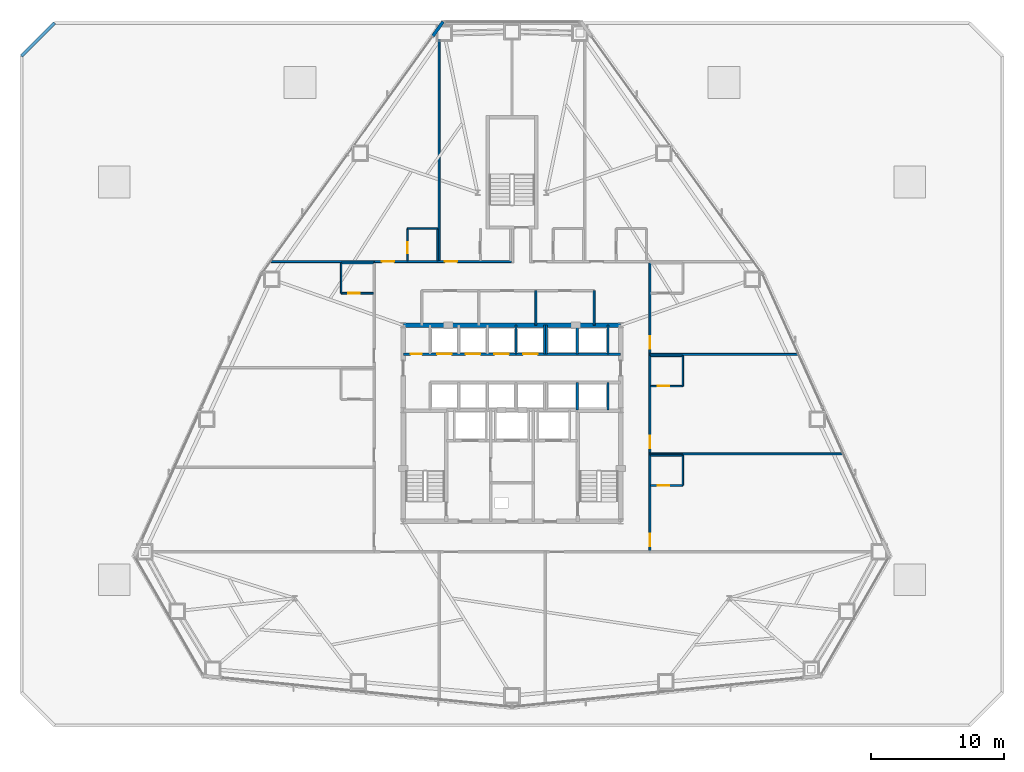
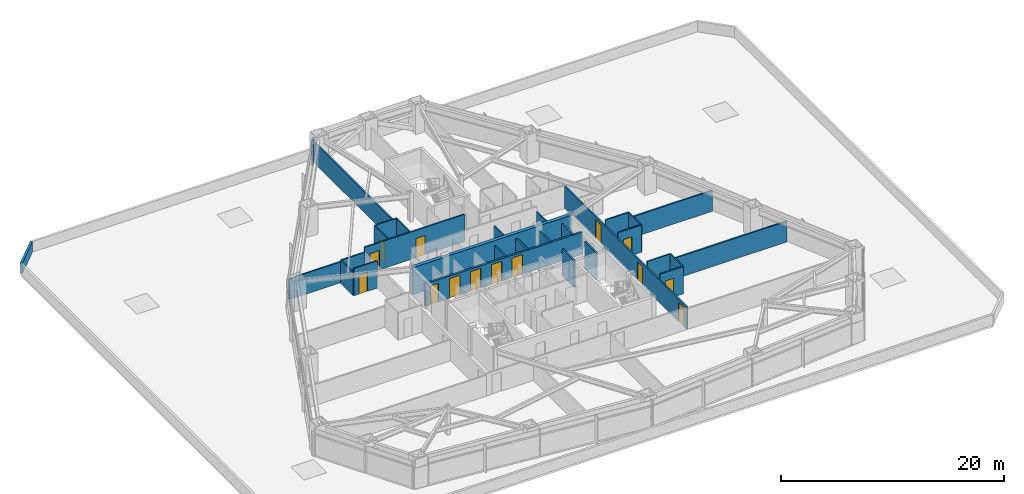
# One storey, part 14 of 17: 31 walls, 14 doors, 14 openings.
"""IFC4 building model written with IfcOpenShell, lengths in metres."""

import ifcopenshell
import ifcopenshell.guid

model = None  # the IFC model being written
_history = None  # IfcOwnerHistory: only IFC2X3 demands one
_inside = {}  # id of a spatial element -> (the spatial element, [elements in it])
_under = {}  # id of a project, library or spatial element -> (it, [spatial elements below it])
_declared = {}  # id of a project -> (the project, [libraries it declares])
_typed = {}  # id of a type object -> (the type object, [elements of that type])
_made_of = {}  # id of a material, layer set ... -> (it, [elements and type objects made of it])


def new_model(schema):
    """Start an empty IFC model of exactly this schema.

    Asked for "IFC4X3", IfcOpenShell would pick the latest addendum, in which some entities
    have other attributes; the version numbers below select the first issue.
    IFC2X3 requires an IfcOwnerHistory on every rooted entity: one is made here for all.
    """
    global model, _history
    if schema == "IFC4X3":
        model = ifcopenshell.file(schema_version=(4, 3, 0, 0))
    else:
        model = ifcopenshell.file(schema=schema)
    _inside.clear()
    _under.clear()
    _declared.clear()
    _typed.clear()
    _made_of.clear()
    _history = None
    if model.schema == "IFC2X3":
        org = make("IfcOrganization", Name="unknown")
        user = make(
            "IfcPersonAndOrganization",
            ThePerson=make("IfcPerson", FamilyName="unknown"),
            TheOrganization=org,
        )
        app = make(
            "IfcApplication",
            ApplicationDeveloper=org,
            Version="unknown",
            ApplicationFullName="unknown",
            ApplicationIdentifier="unknown",
        )
        _history = make(
            "IfcOwnerHistory",
            OwningUser=user,
            OwningApplication=app,
            ChangeAction="ADDED",
            CreationDate=0,
        )
    return model


def make(cls, **values):
    """One entity of the class cls with the attributes given. An attribute that is None is left unset."""
    return model.create_entity(
        cls, **{name: value for name, value in values.items() if value is not None}
    )


def rooted(cls, **values):
    """An entity with a GlobalId (a new one), such as an element, a storey or a relation."""
    return make(cls, GlobalId=ifcopenshell.guid.new(), OwnerHistory=_history, **values)


def si_unit(unit_type, name, prefix=None):
    """IfcSIUnit, for example si_unit("LENGTHUNIT", "METRE", prefix="MILLI")."""
    return make("IfcSIUnit", UnitType=unit_type, Prefix=prefix, Name=name)


def assignment(units):
    """IfcUnitAssignment: the units of a project."""
    return None if units is None else make("IfcUnitAssignment", Units=units)


def point(xyz):
    """IfcCartesianPoint."""
    return None if xyz is None else make("IfcCartesianPoint", Coordinates=xyz)


def direction(xyz):
    """IfcDirection."""
    return None if xyz is None else make("IfcDirection", DirectionRatios=xyz)


def frame(location, z_axis=None, x_axis=None):
    """IfcAxis2Placement3D, a coordinate frame: its origin and axes. An axis left out is left unset."""
    return make(
        "IfcAxis2Placement3D",
        Location=point(location),
        Axis=direction(z_axis),
        RefDirection=direction(x_axis),
    )


def frame_2d(location, x_axis=None):
    """IfcAxis2Placement2D, a coordinate frame in the plane: its origin and x axis."""
    return make(
        "IfcAxis2Placement2D", Location=point(location), RefDirection=direction(x_axis)
    )


def origin():
    """The frame at (0, 0, 0) with its axes left unset."""
    return frame((0.0, 0.0, 0.0))


def place(relative_to, where):
    """IfcLocalPlacement: puts the frame where relative to a parent placement (None: the world)."""
    return make(
        "IfcLocalPlacement", PlacementRelTo=relative_to, RelativePlacement=where
    )


def context(
    kind, dimensions, precision=None, world=None, true_north=None, identifier=None
):
    """IfcGeometricRepresentationContext, for example the 3D "Model" context."""
    return make(
        "IfcGeometricRepresentationContext",
        ContextIdentifier=identifier,
        ContextType=kind,
        CoordinateSpaceDimension=dimensions,
        Precision=precision,
        WorldCoordinateSystem=world,
        TrueNorth=true_north,
    )


def subcontext(parent, identifier, kind, view, scale=None):
    """IfcGeometricRepresentationSubContext, for example "Body" below "Model"."""
    return make(
        "IfcGeometricRepresentationSubContext",
        ContextIdentifier=identifier,
        ContextType=kind,
        ParentContext=parent,
        TargetScale=scale,
        TargetView=view,
    )


def project(units=None, contexts=None):
    """IfcProject with its units and contexts."""
    return rooted(
        "IfcProject",
        Name="project",
        RepresentationContexts=contexts,
        UnitsInContext=assignment(units),
    )


def spatial(cls, under=None, at=None, **own):
    """A site, building, storey or space (cls), placed at a placement, below another one or the project."""
    s = rooted(cls, ObjectPlacement=at, **own)
    if under is not None:
        _under.setdefault(under.id(), (under, []))[1].append(s)
    return s


def profile(cls, at=None, kind="AREA", **sizes):
    """A parametric profile (cls). Its sizes go by their IFC names, for example OverallWidth=200.0."""
    return make(cls, ProfileType=kind, Position=at, **sizes)


def rectangle(**sizes):
    """IfcRectangleProfileDef."""
    return profile("IfcRectangleProfileDef", **sizes)


def extrude(swept, where, along, depth):
    """IfcExtrudedAreaSolid: the profile swept, set in the frame where, extruded along a direction by depth."""
    return make(
        "IfcExtrudedAreaSolid",
        SweptArea=swept,
        Position=where,
        ExtrudedDirection=direction(along),
        Depth=depth,
    )


def shape(context_of_items, identifier, shape_type, items):
    """IfcShapeRepresentation: the items that make up one representation, for example the "Body"."""
    return make(
        "IfcShapeRepresentation",
        ContextOfItems=context_of_items,
        RepresentationIdentifier=identifier,
        RepresentationType=shape_type,
        Items=items,
    )


def material(Name=None, Category=None):
    """IfcMaterial."""
    return make("IfcMaterial", Name=Name, Category=Category)


def layer(
    of_material, thickness, ventilated=None, Name=None, Category=None, Priority=None
):
    """IfcMaterialLayer: one layer of a wall or slab, of a material (None: an air gap)."""
    return make(
        "IfcMaterialLayer",
        Material=of_material,
        LayerThickness=thickness,
        IsVentilated=ventilated,
        Name=Name,
        Category=Category,
        Priority=Priority,
    )


def layer_set(layers, Name=None):
    """IfcMaterialLayerSet."""
    return make("IfcMaterialLayerSet", MaterialLayers=layers, LayerSetName=Name)


def made_of(thing, what):
    """Note that an element or type object is made of a material, layer set ...; save() writes the relation."""
    if what is not None:
        _made_of.setdefault(what.id(), (what, []))[1].append(thing)
    return thing


def type_object(cls, material=None, **own):
    """A type object (cls), such as IfcWallType, which elements share."""
    return made_of(rooted(cls, **own), material)


def element(
    cls,
    number,
    at=None,
    inside=None,
    cuts=None,
    type_object=None,
    material=None,
    context=None,
    identifier="Body",
    shape_type=None,
    held_by="IfcProductDefinitionShape",
    body=None,
    shapes=None,
    **own,
):
    """One element of the class cls, such as IfcWall. Its Tag is "e" and its number.

    at: its placement. inside: the storey or other place that contains it. cuts: it is an
    opening in that element (IfcRelVoidsElement). A single representation is given by context,
    identifier, shape_type and body (its items); several are given by shapes. held_by: the class
    of the entity that holds the representations. save() writes the other relations.
    """
    e = rooted(cls, Tag="e%d" % number, ObjectPlacement=at, **own)
    if body is not None:
        shapes = [shape(context, identifier, shape_type, body)]
    if shapes is not None:
        e.Representation = make(held_by, Representations=shapes)
    if inside is not None:
        _inside.setdefault(inside.id(), (inside, []))[1].append(e)
    if cuts is not None:
        rooted(
            "IfcRelVoidsElement", RelatingBuildingElement=cuts, RelatedOpeningElement=e
        )
    if type_object is not None:
        _typed.setdefault(type_object.id(), (type_object, []))[1].append(e)
    return made_of(e, material)


def fill(opening, filler):
    """IfcRelFillsElement: the door or window that sits in an opening."""
    return rooted(
        "IfcRelFillsElement",
        RelatingOpeningElement=opening,
        RelatedBuildingElement=filler,
    )


def aggregate(whole, parts):
    """IfcRelAggregates: a whole, such as a stair, and the parts it consists of."""
    return rooted("IfcRelAggregates", RelatingObject=whole, RelatedObjects=parts)


def save(model, path):
    """Write the relations noted so far, then the file.

    IfcRelAggregates (storeys below a building ...), IfcRelContainedInSpatialStructure (elements
    in a storey), IfcRelDefinesByType, IfcRelAssociatesMaterial and IfcRelDeclares: one each for
    every whole, place, type object, material and project.
    """
    for whole, parts in _under.values():
        aggregate(whole, parts)
    for where, things in _inside.values():
        rooted(
            "IfcRelContainedInSpatialStructure",
            RelatedElements=things,
            RelatingStructure=where,
        )
    for kind, things in _typed.values():
        rooted("IfcRelDefinesByType", RelatedObjects=things, RelatingType=kind)
    for what, things in _made_of.values():
        rooted("IfcRelAssociatesMaterial", RelatedObjects=things, RelatingMaterial=what)
    for by, libraries in _declared.values():
        rooted("IfcRelDeclares", RelatingContext=by, RelatedDefinitions=libraries)
    model.write(path)


model = new_model("IFC4")

# Units and contexts
model_context = context("Model", 3, precision=1e-05, world=origin(), true_north=direction((0.0, 1.0)))
body_context = subcontext(model_context, "Body", "Model", "MODEL_VIEW")
ifc_project = project(units=[si_unit("LENGTHUNIT", "METRE"), si_unit("AREAUNIT", "SQUARE_METRE"), si_unit("VOLUMEUNIT", "CUBIC_METRE"), si_unit("PLANEANGLEUNIT", "RADIAN"), si_unit("MASSUNIT", "GRAM", prefix="KILO")], contexts=[model_context])

# Site, building, storey
site_placement = place(None, origin())
site = spatial("IfcSite", under=ifc_project, at=site_placement, CompositionType="ELEMENT")
building_placement = place(site_placement, origin())
building = spatial("IfcBuilding", under=site, at=building_placement, Name="Varakhsha Concourse Tower", CompositionType="ELEMENT")
storey_placement = place(building_placement, frame((0.0, 0.0, 27.199951171875)))
storey = spatial("IfcBuildingStorey", under=building, at=storey_placement, Name="L06", CompositionType="ELEMENT", Elevation=27.199951171875)

# Walls
ifc_material_1 = material(Name="Concrete fc 65 MPa", Category="concrete")
ifc_layer_1 = layer(ifc_material_1, 0.35009765625, Name="WL-CORE-350")
ifc_layer_set_1 = layer_set([ifc_layer_1], Name="Concrete fc 65 MPa")
wall_type_1 = type_object("IfcWallType", Name="WL-CORE-350", PredefinedType="SHEAR", material=ifc_layer_set_1)
wall_1_placement = place(storey_placement, frame((31.800048828125, 31.199951171875, 0.0), z_axis=(0.0, 0.0, 1.0), x_axis=(1.0, 0.0, 0.0)))
element("IfcWall", 1, at=wall_1_placement, inside=storey, type_object=wall_type_1, Name="L06 Wall CWALL-N-L06", PredefinedType="SHEAR", context=body_context, shape_type="SweptSolid", body=[
    extrude(rectangle(XDim=16.39990234375, YDim=0.35009765625, at=frame_2d((8.199951171875, 0.0))), origin(), (0.0, 0.0, 1.0), 2.97998046875),
])
ifc_material_2 = material(Name="Concrete fc 45 MPa", Category="concrete")
ifc_layer_2 = layer(ifc_material_2, 0.239990234375, Name="WL-EXT-CRN-240")
ifc_layer_set_2 = layer_set([ifc_layer_2], Name="Concrete fc 45 MPa")
wall_type_2 = type_object("IfcWallType", Name="WL-EXT-CRN-240", PredefinedType="SHEAR", material=ifc_layer_set_2)
wall_2_placement = place(storey_placement, frame((34.8017578125, 54.087646484375, 0.0), z_axis=(0.0, 0.0, 1.0), x_axis=(-0.584193864266, -0.811614150292, 0.0)))
element("IfcWall", 2, at=wall_2_placement, inside=storey, type_object=wall_type_2, Name="L06 Wind-Corner Shoulder Wall F2", PredefinedType="SHEAR", context=body_context, shape_type="SweptSolid", body=[
    extrude(rectangle(XDim=1.33447265625, YDim=0.239990234375, at=frame_2d((0.667236328125, 0.0))), origin(), (0.0, 0.0, 1.0), 2.262939453125),
])
ifc_layer_3 = layer(ifc_material_2, 0.219970703125, Name="WL-PARAPET-220")
ifc_layer_set_3 = layer_set([ifc_layer_3], Name="Concrete fc 45 MPa")
wall_type_3 = type_object("IfcWallType", Name="WL-PARAPET-220", PredefinedType="PARAPET", material=ifc_layer_set_3)
wall_3_placement = place(storey_placement, frame((5.5, 54.0, 0.0), z_axis=(0.0, 0.0, 1.0), x_axis=(-0.707106781187, -0.707106781187, 0.0)))
element("IfcWall", 3, at=wall_3_placement, inside=storey, type_object=wall_type_3, Name="Podium Roof Perimeter Parapet 06", PredefinedType="PARAPET", context=body_context, shape_type="SweptSolid", body=[
    extrude(rectangle(XDim=3.53564453125, YDim=0.219970703125, at=frame_2d((1.767822265625, 0.0))), origin(), (0.0, 0.0, 1.0), 1.150146484375),
])
ifc_material_3 = material(Name="Acoustic Gypsum Board Partition Assembly", Category="gypsum")
ifc_layer_4 = layer(ifc_material_3, 0.1201171875, Name="WL-PART-120")
ifc_layer_set_4 = layer_set([ifc_layer_4], Name="Acoustic Gypsum Board Partition Assembly")
wall_type_4 = type_object("IfcWallType", Name="WL-PART-120", PredefinedType="PARTITIONING", material=ifc_layer_set_4)
wall_4_placement = place(storey_placement, frame((27.110107421875, 33.610107421875, 0.0), z_axis=(0.0, 0.0, 1.0), x_axis=(0.0, 1.0, 0.0)))
element("IfcWall", 4, at=wall_4_placement, inside=storey, type_object=wall_type_4, Name="L06 Wall ENSW-W-L06-H06", PredefinedType="PARTITIONING", context=body_context, shape_type="SweptSolid", body=[
    extrude(rectangle(XDim=2.27978515625, YDim=0.1201171875, at=frame_2d((1.139892578125, 0.0))), origin(), (0.0, 0.0, 1.0), 2.512939453125),
])

# Wall, opening, door
wall_5_placement = place(storey_placement, frame((27.110107421875, 33.610107421875, 0.0), z_axis=(0.0, 0.0, 1.0), x_axis=(1.0, 0.0, 0.0)))
wall_5 = element("IfcWall", 5, at=wall_5_placement, inside=storey, type_object=wall_type_4, Name="L06 Wall ENSW-S-L06-H06", PredefinedType="PARTITIONING", context=body_context, shape_type="SweptSolid", body=[
    extrude(rectangle(XDim=2.429931640625, YDim=0.1201171875, at=frame_2d((1.21484375, 0.0))), origin(), (0.0, 0.0, 1.0), 2.97998046875),
])
opening_1_placement = place(wall_5_placement, frame((0.550048828125, 0.0, 0.0)))
opening_1 = element("IfcOpeningElement", 6, at=opening_1_placement, cuts=wall_5, Name="Opening DI-01", PredefinedType="OPENING", context=body_context, shape_type="SweptSolid", body=[
    extrude(rectangle(XDim=0.85009765625, YDim=2.050048828125, at=frame_2d((0.425048828125, 1.02490234375))), frame((0.0, 0.070068359375, 0.0), z_axis=(0.0, -1.0, 0.0), x_axis=(1.0, 0.0, 0.0)), (0.0, 0.0, 1.0), 0.14013671875),
])
ifc_material_4 = material(Name="Architectural Walnut Acoustic Timber Door", Category="wood")
door_type_1 = type_object("IfcDoorType", Name="DR-INT-850", OperationType="NOTDEFINED", PredefinedType="DOOR", material=ifc_material_4)
door_1_placement = place(opening_1_placement, origin())
door_1 = element("IfcDoor", 7, at=door_1_placement, inside=storey, type_object=door_type_1, Name="L06 En-suite Bathroom Door L06-H06", OperationType="SINGLE_SWING_RIGHT", OverallHeight=2.050048828125, OverallWidth=0.85009765625, PredefinedType="DOOR", context=body_context, shape_type="SweptSolid", body=[
    extrude(rectangle(XDim=0.85009765625, YDim=2.050048828125, at=frame_2d((0.425048828125, 1.02490234375))), frame((0.0, 0.02490234375, 0.0), z_axis=(0.0, -1.0, 0.0), x_axis=(1.0, 0.0, 0.0)), (0.0, 0.0, 1.0), 0.050048828125),
])
fill(opening_1, door_1)

# Walls
wall_6_placement = place(storey_placement, frame((27.110107421875, 35.889892578125, 0.0), z_axis=(0.0, 0.0, 1.0), x_axis=(1.0, 0.0, 0.0)))
element("IfcWall", 8, at=wall_6_placement, inside=storey, type_object=wall_type_4, Name="L06 Wall ENSW-N-L06-H06", PredefinedType="PARTITIONING", context=body_context, shape_type="SweptSolid", body=[
    extrude(rectangle(XDim=2.429931640625, YDim=0.1201171875, at=frame_2d((1.21484375, 0.0))), origin(), (0.0, 0.0, 1.0), 2.512939453125),
])
wall_7_placement = place(storey_placement, frame((52.889892578125, 19.110107421875, 0.0), z_axis=(0.0, 0.0, 1.0), x_axis=(0.0, 1.0, 0.0)))
element("IfcWall", 9, at=wall_7_placement, inside=storey, type_object=wall_type_4, Name="L06 Wall ENSW-E-L06-H07", PredefinedType="PARTITIONING", context=body_context, shape_type="SweptSolid", body=[
    extrude(rectangle(XDim=2.27978515625, YDim=0.1201171875, at=frame_2d((1.139892578125, 0.0))), origin(), (0.0, 0.0, 1.0), 2.97998046875),
])

# Wall, opening, door
wall_8_placement = place(storey_placement, frame((50.4599609375, 19.110107421875, 0.0), z_axis=(0.0, 0.0, 1.0), x_axis=(1.0, 0.0, 0.0)))
wall_8 = element("IfcWall", 10, at=wall_8_placement, inside=storey, type_object=wall_type_4, Name="L06 Wall ENSW-S-L06-H07", PredefinedType="PARTITIONING", context=body_context, shape_type="SweptSolid", body=[
    extrude(rectangle(XDim=2.429931640625, YDim=0.1201171875, at=frame_2d((1.21484375, 0.0))), origin(), (0.0, 0.0, 1.0), 2.97998046875),
])
opening_2_placement = place(wall_8_placement, frame((0.550048828125, 0.0, 0.0)))
opening_2 = element("IfcOpeningElement", 11, at=opening_2_placement, cuts=wall_8, Name="Opening DI-01", PredefinedType="OPENING", context=body_context, shape_type="SweptSolid", body=[
    extrude(rectangle(XDim=0.85009765625, YDim=2.050048828125, at=frame_2d((0.425048828125, 1.02490234375))), frame((0.0, 0.070068359375, 0.0), z_axis=(0.0, -1.0, 0.0), x_axis=(1.0, 0.0, 0.0)), (0.0, 0.0, 1.0), 0.14013671875),
])
door_2_placement = place(opening_2_placement, origin())
door_2 = element("IfcDoor", 12, at=door_2_placement, inside=storey, type_object=door_type_1, Name="L06 En-suite Bathroom Door L06-H07", OperationType="SINGLE_SWING_RIGHT", OverallHeight=2.050048828125, OverallWidth=0.85009765625, PredefinedType="DOOR", context=body_context, shape_type="SweptSolid", body=[
    extrude(rectangle(XDim=0.85009765625, YDim=2.050048828125, at=frame_2d((0.425048828125, 1.02490234375))), frame((0.0, 0.02490234375, 0.0), z_axis=(0.0, -1.0, 0.0), x_axis=(1.0, 0.0, 0.0)), (0.0, 0.0, 1.0), 0.050048828125),
])
fill(opening_2, door_2)

# Walls
wall_9_placement = place(storey_placement, frame((50.4599609375, 21.389892578125, 0.0), z_axis=(0.0, 0.0, 1.0), x_axis=(1.0, 0.0, 0.0)))
element("IfcWall", 13, at=wall_9_placement, inside=storey, type_object=wall_type_4, Name="L06 Wall ENSW-N-L06-H07", PredefinedType="PARTITIONING", context=body_context, shape_type="SweptSolid", body=[
    extrude(rectangle(XDim=2.429931640625, YDim=0.1201171875, at=frame_2d((1.21484375, 0.0))), origin(), (0.0, 0.0, 1.0), 2.97998046875),
])
wall_10_placement = place(storey_placement, frame((52.889892578125, 26.610107421875, 0.0), z_axis=(0.0, 0.0, 1.0), x_axis=(0.0, 1.0, 0.0)))
element("IfcWall", 14, at=wall_10_placement, inside=storey, type_object=wall_type_4, Name="L06 Wall ENSW-E-L06-H08", PredefinedType="PARTITIONING", context=body_context, shape_type="SweptSolid", body=[
    extrude(rectangle(XDim=2.27978515625, YDim=0.1201171875, at=frame_2d((1.139892578125, 0.0))), origin(), (0.0, 0.0, 1.0), 2.97998046875),
])

# Wall, opening, door
wall_11_placement = place(storey_placement, frame((50.4599609375, 26.610107421875, 0.0), z_axis=(0.0, 0.0, 1.0), x_axis=(1.0, 0.0, 0.0)))
wall_11 = element("IfcWall", 15, at=wall_11_placement, inside=storey, type_object=wall_type_4, Name="L06 Wall ENSW-S-L06-H08", PredefinedType="PARTITIONING", context=body_context, shape_type="SweptSolid", body=[
    extrude(rectangle(XDim=2.429931640625, YDim=0.1201171875, at=frame_2d((1.21484375, 0.0))), origin(), (0.0, 0.0, 1.0), 2.97998046875),
])
opening_3_placement = place(wall_11_placement, frame((0.550048828125, 0.0, 0.0)))
opening_3 = element("IfcOpeningElement", 16, at=opening_3_placement, cuts=wall_11, Name="Opening DI-01", PredefinedType="OPENING", context=body_context, shape_type="SweptSolid", body=[
    extrude(rectangle(XDim=0.85009765625, YDim=2.050048828125, at=frame_2d((0.425048828125, 1.02490234375))), frame((0.0, 0.070068359375, 0.0), z_axis=(0.0, -1.0, 0.0), x_axis=(1.0, 0.0, 0.0)), (0.0, 0.0, 1.0), 0.14013671875),
])
door_3_placement = place(opening_3_placement, origin())
door_3 = element("IfcDoor", 17, at=door_3_placement, inside=storey, type_object=door_type_1, Name="L06 En-suite Bathroom Door L06-H08", OperationType="SINGLE_SWING_RIGHT", OverallHeight=2.050048828125, OverallWidth=0.85009765625, PredefinedType="DOOR", context=body_context, shape_type="SweptSolid", body=[
    extrude(rectangle(XDim=0.85009765625, YDim=2.050048828125, at=frame_2d((0.425048828125, 1.02490234375))), frame((0.0, 0.02490234375, 0.0), z_axis=(0.0, -1.0, 0.0), x_axis=(1.0, 0.0, 0.0)), (0.0, 0.0, 1.0), 0.050048828125),
])
fill(opening_3, door_3)

# Wall
wall_12_placement = place(storey_placement, frame((50.4599609375, 28.889892578125, 0.0), z_axis=(0.0, 0.0, 1.0), x_axis=(1.0, 0.0, 0.0)))
element("IfcWall", 18, at=wall_12_placement, inside=storey, type_object=wall_type_4, Name="L06 Wall ENSW-N-L06-H08", PredefinedType="PARTITIONING", context=body_context, shape_type="SweptSolid", body=[
    extrude(rectangle(XDim=2.429931640625, YDim=0.1201171875, at=frame_2d((1.21484375, 0.0))), origin(), (0.0, 0.0, 1.0), 2.97998046875),
])

# Wall, opening, door
wall_13_placement = place(storey_placement, frame((32.110107421875, 36.06005859375, 0.0), z_axis=(0.0, 0.0, 1.0), x_axis=(0.0, 1.0, 0.0)))
wall_13 = element("IfcWall", 19, at=wall_13_placement, inside=storey, type_object=wall_type_4, Name="L06 Wall ENSW-W-L06-H10", PredefinedType="PARTITIONING", context=body_context, shape_type="SweptSolid", body=[
    extrude(rectangle(XDim=2.429931640625, YDim=0.1201171875, at=frame_2d((1.21484375, 0.0))), origin(), (0.0, 0.0, 1.0), 2.97998046875),
])
opening_4_placement = place(wall_13_placement, frame((0.550048828125, 0.0, 0.0)))
opening_4 = element("IfcOpeningElement", 20, at=opening_4_placement, cuts=wall_13, Name="Opening DI-01", PredefinedType="OPENING", context=body_context, shape_type="SweptSolid", body=[
    extrude(rectangle(XDim=0.85009765625, YDim=2.050048828125, at=frame_2d((0.425048828125, 1.02490234375))), frame((0.0, 0.070068359375, 0.0), z_axis=(0.0, -1.0, 0.0), x_axis=(1.0, 0.0, 0.0)), (0.0, 0.0, 1.0), 0.14013671875),
])
door_4_placement = place(opening_4_placement, origin())
door_4 = element("IfcDoor", 21, at=door_4_placement, inside=storey, type_object=door_type_1, Name="L06 En-suite Bathroom Door L06-H10", OperationType="SINGLE_SWING_RIGHT", OverallHeight=2.050048828125, OverallWidth=0.85009765625, PredefinedType="DOOR", context=body_context, shape_type="SweptSolid", body=[
    extrude(rectangle(XDim=0.85009765625, YDim=2.050048828125, at=frame_2d((0.425048828125, 1.02490234375))), frame((0.0, 0.02490234375, 0.0), z_axis=(0.0, -1.0, 0.0), x_axis=(1.0, 0.0, 0.0)), (0.0, 0.0, 1.0), 0.050048828125),
])
fill(opening_4, door_4)

# Walls
wall_14_placement = place(storey_placement, frame((34.389892578125, 36.06005859375, 0.0), z_axis=(0.0, 0.0, 1.0), x_axis=(0.0, 1.0, 0.0)))
element("IfcWall", 22, at=wall_14_placement, inside=storey, type_object=wall_type_4, Name="L06 Wall ENSW-E-L06-H10", PredefinedType="PARTITIONING", context=body_context, shape_type="SweptSolid", body=[
    extrude(rectangle(XDim=2.429931640625, YDim=0.1201171875, at=frame_2d((1.21484375, 0.0))), origin(), (0.0, 0.0, 1.0), 2.97998046875),
])
wall_15_placement = place(storey_placement, frame((32.110107421875, 38.489990234375, 0.0), z_axis=(0.0, 0.0, 1.0), x_axis=(1.0, 0.0, 0.0)))
element("IfcWall", 23, at=wall_15_placement, inside=storey, type_object=wall_type_4, Name="L06 Wall ENSW-N-L06-H10", PredefinedType="PARTITIONING", context=body_context, shape_type="SweptSolid", body=[
    extrude(rectangle(XDim=2.27978515625, YDim=0.1201171875, at=frame_2d((1.139892578125, 0.0))), origin(), (0.0, 0.0, 1.0), 2.97998046875),
])
ifc_material_5 = material(Name="Fire-Rated Type X Gypsum Partition Assembly", Category="gypsum")
ifc_layer_5 = layer(ifc_material_5, 0.14990234375, Name="WL-PART-150")
ifc_layer_set_5 = layer_set([ifc_layer_5], Name="Fire-Rated Type X Gypsum Partition Assembly")
wall_type_5 = type_object("IfcWallType", Name="WL-PART-150", PredefinedType="PARTITIONING", material=ifc_layer_set_5)
for number, where, z_axis, x_axis, name in (
    (24, (46.199951171875, 31.199951171875, 0.0), (0.0, 0.0, 1.0), (0.0, 1.0, 0.0), "L06 Wall NBOH-E-L06"),
    (25, (41.800048828125, 31.199951171875, 0.0), (0.0, 0.0, 1.0), (0.0, 1.0, 0.0), "L06 Wall NBOH-D2-L06"),
):
    element("IfcWall", number, at=place(storey_placement, frame(where, z_axis=z_axis, x_axis=x_axis)), inside=storey, type_object=wall_type_5, Name=name, PredefinedType="PARTITIONING", context=body_context, shape_type="SweptSolid", body=[
        extrude(rectangle(XDim=2.60009765625, YDim=0.14990234375, at=frame_2d((1.300048828125, 0.0))), origin(), (0.0, 0.0, 1.0), 2.43115234375),
    ])

# Wall, openings, doors
wall_16_placement = place(storey_placement, frame((29.60009765625, 36.0, 0.0), z_axis=(0.0, 0.0, 1.0), x_axis=(1.0, 0.0, 0.0)))
wall_16 = element("IfcWall", 26, at=wall_16_placement, inside=storey, type_object=wall_type_5, Name="L06 Wall CRW-N-L06", PredefinedType="PARTITIONING", context=body_context, shape_type="SweptSolid", body=[
    extrude(rectangle(XDim=10.375, YDim=0.14990234375, at=frame_2d((5.1875, 0.0))), origin(), (0.0, 0.0, 1.0), 2.97998046875),
])
opening_5_placement = place(wall_16_placement, frame((0.570068359375, 0.0, 0.0)))
opening_5 = element("IfcOpeningElement", 27, at=opening_5_placement, cuts=wall_16, Name="Opening DF-05", PredefinedType="OPENING", context=body_context, shape_type="SweptSolid", body=[
    extrude(rectangle(XDim=0.949951171875, YDim=2.10009765625, at=frame_2d((0.47509765625, 1.050048828125))), frame((0.0, 0.0849609375, 0.0), z_axis=(0.0, -1.0, 0.0), x_axis=(1.0, 0.0, 0.0)), (0.0, 0.0, 1.0), 0.169921875),
])
opening_6_placement = place(wall_16_placement, frame((5.320068359375, 0.0, 0.0)))
opening_6 = element("IfcOpeningElement", 28, at=opening_6_placement, cuts=wall_16, Name="Opening DF-05", PredefinedType="OPENING", context=body_context, shape_type="SweptSolid", body=[
    extrude(rectangle(XDim=0.949951171875, YDim=2.10009765625, at=frame_2d((0.47509765625, 1.050048828125))), frame((0.0, 0.0849609375, 0.0), z_axis=(0.0, -1.0, 0.0), x_axis=(1.0, 0.0, 0.0)), (0.0, 0.0, 1.0), 0.169921875),
])
ifc_material_6 = material(Name="Hollow Galvanised Steel Fire Door Assembly", Category="steel")
door_type_2 = type_object("IfcDoorType", Name="DR-FD60-950", OperationType="NOTDEFINED", PredefinedType="DOOR", material=ifc_material_6)
door_5_placement = place(opening_5_placement, origin())
door_5 = element("IfcDoor", 29, at=door_5_placement, inside=storey, type_object=door_type_2, Name="L06 Hotel Corner Suite L06-H10 Entry Door", OperationType="SINGLE_SWING_RIGHT", OverallHeight=2.10009765625, OverallWidth=0.949951171875, PredefinedType="DOOR", context=body_context, shape_type="SweptSolid", body=[
    extrude(rectangle(XDim=0.949951171875, YDim=2.10009765625, at=frame_2d((0.47509765625, 1.050048828125))), frame((0.0, 0.02490234375, 0.0), z_axis=(0.0, -1.0, 0.0), x_axis=(1.0, 0.0, 0.0)), (0.0, 0.0, 1.0), 0.050048828125),
])
fill(opening_5, door_5)
door_6_placement = place(opening_6_placement, origin())
door_6 = element("IfcDoor", 30, at=door_6_placement, inside=storey, type_object=door_type_2, Name="L06 Hotel Corner Suite L06-H11 Entry Door", OperationType="SINGLE_SWING_LEFT", OverallHeight=2.10009765625, OverallWidth=0.949951171875, PredefinedType="DOOR", context=body_context, shape_type="SweptSolid", body=[
    extrude(rectangle(XDim=0.949951171875, YDim=2.10009765625, at=frame_2d((0.47509765625, 1.050048828125))), frame((0.0, 0.02490234375, 0.0), z_axis=(0.0, -1.0, 0.0), x_axis=(1.0, 0.0, 0.0)), (0.0, 0.0, 1.0), 0.050048828125),
])
fill(opening_6, door_6)

wall_17_placement = place(storey_placement, frame((50.39990234375, 14.10009765625, 0.0), z_axis=(0.0, 0.0, 1.0), x_axis=(0.0, 1.0, 0.0)))
wall_17 = element("IfcWall", 31, at=wall_17_placement, inside=storey, type_object=wall_type_5, Name="L06 Wall CRW-E-L06", PredefinedType="PARTITIONING", context=body_context, shape_type="SweptSolid", body=[
    extrude(rectangle(XDim=21.89990234375, YDim=0.14990234375, at=frame_2d((10.949951171875, 0.0))), origin(), (0.0, 0.0, 1.0), 2.43115234375),
])
opening_7_placement = place(wall_17_placement, frame((0.419921875, 0.0, 0.0)))
opening_7 = element("IfcOpeningElement", 32, at=opening_7_placement, cuts=wall_17, Name="Opening DF-05", PredefinedType="OPENING", context=body_context, shape_type="SweptSolid", body=[
    extrude(rectangle(XDim=0.949951171875, YDim=2.10009765625, at=frame_2d((0.47509765625, 1.050048828125))), frame((0.0, 0.0849609375, 0.0), z_axis=(0.0, -1.0, 0.0), x_axis=(1.0, 0.0, 0.0)), (0.0, 0.0, 1.0), 0.169921875),
])
opening_8_placement = place(wall_17_placement, frame((7.820068359375, 0.0, 0.0)))
opening_8 = element("IfcOpeningElement", 33, at=opening_8_placement, cuts=wall_17, Name="Opening DF-05", PredefinedType="OPENING", context=body_context, shape_type="SweptSolid", body=[
    extrude(rectangle(XDim=0.949951171875, YDim=2.10009765625, at=frame_2d((0.47509765625, 1.050048828125))), frame((0.0, 0.0849609375, 0.0), z_axis=(0.0, -1.0, 0.0), x_axis=(1.0, 0.0, 0.0)), (0.0, 0.0, 1.0), 0.169921875),
])
opening_9_placement = place(wall_17_placement, frame((15.320068359375, 0.0, 0.0)))
opening_9 = element("IfcOpeningElement", 34, at=opening_9_placement, cuts=wall_17, Name="Opening DF-05", PredefinedType="OPENING", context=body_context, shape_type="SweptSolid", body=[
    extrude(rectangle(XDim=0.949951171875, YDim=2.10009765625, at=frame_2d((0.47509765625, 1.050048828125))), frame((0.0, 0.0849609375, 0.0), z_axis=(0.0, -1.0, 0.0), x_axis=(1.0, 0.0, 0.0)), (0.0, 0.0, 1.0), 0.169921875),
])
door_7_placement = place(opening_7_placement, origin())
door_7 = element("IfcDoor", 35, at=door_7_placement, inside=storey, type_object=door_type_2, Name="L06 Hotel Corner Suite L06-H07 Entry Door", OperationType="SINGLE_SWING_LEFT", OverallHeight=2.10009765625, OverallWidth=0.949951171875, PredefinedType="DOOR", context=body_context, shape_type="SweptSolid", body=[
    extrude(rectangle(XDim=0.949951171875, YDim=2.10009765625, at=frame_2d((0.47509765625, 1.050048828125))), frame((0.0, 0.02490234375, 0.0), z_axis=(0.0, -1.0, 0.0), x_axis=(1.0, 0.0, 0.0)), (0.0, 0.0, 1.0), 0.050048828125),
])
fill(opening_7, door_7)
door_8_placement = place(opening_8_placement, origin())
door_8 = element("IfcDoor", 36, at=door_8_placement, inside=storey, type_object=door_type_2, Name="L06 Hotel Corner Suite L06-H08 Entry Door", OperationType="SINGLE_SWING_RIGHT", OverallHeight=2.10009765625, OverallWidth=0.949951171875, PredefinedType="DOOR", context=body_context, shape_type="SweptSolid", body=[
    extrude(rectangle(XDim=0.949951171875, YDim=2.10009765625, at=frame_2d((0.47509765625, 1.050048828125))), frame((0.0, 0.02490234375, 0.0), z_axis=(0.0, -1.0, 0.0), x_axis=(1.0, 0.0, 0.0)), (0.0, 0.0, 1.0), 0.050048828125),
])
fill(opening_8, door_8)
door_9_placement = place(opening_9_placement, origin())
door_9 = element("IfcDoor", 37, at=door_9_placement, inside=storey, type_object=door_type_2, Name="L06 Hotel Corner Suite L06-H09 Entry Door", OperationType="SINGLE_SWING_LEFT", OverallHeight=2.10009765625, OverallWidth=0.949951171875, PredefinedType="DOOR", context=body_context, shape_type="SweptSolid", body=[
    extrude(rectangle(XDim=0.949951171875, YDim=2.10009765625, at=frame_2d((0.47509765625, 1.050048828125))), frame((0.0, 0.02490234375, 0.0), z_axis=(0.0, -1.0, 0.0), x_axis=(1.0, 0.0, 0.0)), (0.0, 0.0, 1.0), 0.050048828125),
])
fill(opening_9, door_9)

# Walls
wall_18_placement = place(storey_placement, frame((21.78564453125, 36.0, 0.0), z_axis=(0.0, 0.0, 1.0), x_axis=(1.0, 0.0, 0.0)))
element("IfcWall", 38, at=wall_18_placement, inside=storey, type_object=wall_type_5, Name="L06 Wall HDIV-WBN-L06", PredefinedType="PARTITIONING", context=body_context, shape_type="SweptSolid", body=[
    extrude(rectangle(XDim=7.814453125, YDim=0.14990234375, at=frame_2d((3.9072265625, 0.0))), origin(), (0.0, 0.0, 1.0), 2.26806640625),
])
wall_19_placement = place(storey_placement, frame((50.39990234375, 21.5, 0.0), z_axis=(0.0, 0.0, 1.0), x_axis=(1.0, 0.0, 0.0)))
element("IfcWall", 39, at=wall_19_placement, inside=storey, type_object=wall_type_5, Name="L06 Wall HDIV-E1-L06", PredefinedType="PARTITIONING", context=body_context, shape_type="SweptSolid", body=[
    extrude(rectangle(XDim=14.590087890625, YDim=0.14990234375, at=frame_2d((7.294921875, 0.0))), origin(), (0.0, 0.0, 1.0), 2.26806640625),
])
wall_20_placement = place(storey_placement, frame((50.39990234375, 29.0, 0.0), z_axis=(0.0, 0.0, 1.0), x_axis=(1.0, 0.0, 0.0)))
element("IfcWall", 40, at=wall_20_placement, inside=storey, type_object=wall_type_5, Name="L06 Wall HDIV-E2-L06", PredefinedType="PARTITIONING", context=body_context, shape_type="SweptSolid", body=[
    extrude(rectangle(XDim=11.2119140625, YDim=0.14990234375, at=frame_2d((5.60595703125, 0.0))), origin(), (0.0, 0.0, 1.0), 2.26806640625),
])
wall_21_placement = place(storey_placement, frame((34.5, 36.0, 0.0), z_axis=(0.0, 0.0, 1.0), x_axis=(0.0, 1.0, 0.0)))
element("IfcWall", 41, at=wall_21_placement, inside=storey, type_object=wall_type_5, Name="L06 Wall HDIV-N1-L06", PredefinedType="PARTITIONING", context=body_context, shape_type="SweptSolid", body=[
    extrude(rectangle(XDim=17.659912109375, YDim=0.14990234375, at=frame_2d((8.830078125, 0.0))), origin(), (0.0, 0.0, 1.0), 2.26806640625),
])

# Wall, openings, doors
ifc_layer_6 = layer(ifc_material_5, 0.199951171875, Name="WL-SHAFT-220")
ifc_layer_set_6 = layer_set([ifc_layer_6], Name="Fire-Rated Type X Gypsum Partition Assembly")
wall_type_6 = type_object("IfcWallType", Name="WL-SHAFT-220", PredefinedType="SOLIDWALL", material=ifc_layer_set_6)
wall_22_placement = place(storey_placement, frame((31.800048828125, 29.02001953125, 0.0), z_axis=(0.0, 0.0, 1.0), x_axis=(1.0, 0.0, 0.0)))
wall_22 = element("IfcWall", 42, at=wall_22_placement, inside=storey, type_object=wall_type_6, Name="L06 Wall PLW-N-L06", PredefinedType="SOLIDWALL", context=body_context, shape_type="SweptSolid", body=[
    extrude(rectangle(XDim=16.39990234375, YDim=0.199951171875, at=frame_2d((8.199951171875, 0.0))), origin(), (0.0, 0.0, 1.0), 2.43115234375),
])
opening_10_placement = place(wall_22_placement, frame((0.550048828125, 0.0, 0.0)))
opening_10 = element("IfcOpeningElement", 43, at=opening_10_placement, cuts=wall_22, Name="Opening DF-07", PredefinedType="OPENING", context=body_context, shape_type="SweptSolid", body=[
    extrude(rectangle(XDim=0.85009765625, YDim=2.050048828125, at=frame_2d((0.425048828125, 1.02490234375))), frame((0.0, 0.10986328125, 0.0), z_axis=(0.0, -1.0, 0.0), x_axis=(1.0, 0.0, 0.0)), (0.0, 0.0, 1.0), 0.219970703125),
])
opening_11_placement = place(wall_22_placement, frame((2.550048828125, 0.0, 0.0)))
opening_11 = element("IfcOpeningElement", 44, at=opening_11_placement, cuts=wall_22, Name="Opening LD-LF-P01", PredefinedType="OPENING", context=body_context, shape_type="SweptSolid", body=[
    extrude(rectangle(XDim=1.10009765625, YDim=2.14990234375, at=frame_2d((0.550048828125, 1.074951171875))), frame((0.0, 0.10986328125, 0.0), z_axis=(0.0, -1.0, 0.0), x_axis=(1.0, 0.0, 0.0)), (0.0, 0.0, 1.0), 0.219970703125),
])
opening_12_placement = place(wall_22_placement, frame((4.7099609375, 0.0, 0.0)))
opening_12 = element("IfcOpeningElement", 45, at=opening_12_placement, cuts=wall_22, Name="Opening LD-LF-P02", PredefinedType="OPENING", context=body_context, shape_type="SweptSolid", body=[
    extrude(rectangle(XDim=1.10009765625, YDim=2.14990234375, at=frame_2d((0.550048828125, 1.074951171875))), frame((0.0, 0.10986328125, 0.0), z_axis=(0.0, -1.0, 0.0), x_axis=(1.0, 0.0, 0.0)), (0.0, 0.0, 1.0), 0.219970703125),
])
opening_13_placement = place(wall_22_placement, frame((6.8701171875, 0.0, 0.0)))
opening_13 = element("IfcOpeningElement", 46, at=opening_13_placement, cuts=wall_22, Name="Opening LD-LF-P03", PredefinedType="OPENING", context=body_context, shape_type="SweptSolid", body=[
    extrude(rectangle(XDim=1.10009765625, YDim=2.14990234375, at=frame_2d((0.550048828125, 1.074951171875))), frame((0.0, 0.10986328125, 0.0), z_axis=(0.0, -1.0, 0.0), x_axis=(1.0, 0.0, 0.0)), (0.0, 0.0, 1.0), 0.219970703125),
])
opening_14_placement = place(wall_22_placement, frame((9.030029296875, 0.0, 0.0)))
opening_14 = element("IfcOpeningElement", 47, at=opening_14_placement, cuts=wall_22, Name="Opening LD-LF-P04", PredefinedType="OPENING", context=body_context, shape_type="SweptSolid", body=[
    extrude(rectangle(XDim=1.10009765625, YDim=2.14990234375, at=frame_2d((0.550048828125, 1.074951171875))), frame((0.0, 0.10986328125, 0.0), z_axis=(0.0, -1.0, 0.0), x_axis=(1.0, 0.0, 0.0)), (0.0, 0.0, 1.0), 0.219970703125),
])
door_type_3 = type_object("IfcDoorType", Name="DR-FD60-850", OperationType="NOTDEFINED", PredefinedType="DOOR", material=ifc_material_6)
door_10_placement = place(opening_10_placement, origin())
door_10 = element("IfcDoor", 48, at=door_10_placement, inside=storey, type_object=door_type_3, Name="L06 Core Janitor Closet Door", OperationType="SINGLE_SWING_LEFT", OverallHeight=2.050048828125, OverallWidth=0.85009765625, PredefinedType="DOOR", context=body_context, shape_type="SweptSolid", body=[
    extrude(rectangle(XDim=0.85009765625, YDim=2.050048828125, at=frame_2d((0.425048828125, 1.02490234375))), frame((0.0, 0.02490234375, 0.0), z_axis=(0.0, -1.0, 0.0), x_axis=(1.0, 0.0, 0.0)), (0.0, 0.0, 1.0), 0.050048828125),
])
fill(opening_10, door_10)
ifc_material_7 = material(Name="Brushed Austenitic Stainless Steel AISI 316", Category="steel")
door_type_4 = type_object("IfcDoorType", Name="DR-LD-1100", OperationType="DOUBLE_DOOR_SLIDING", PredefinedType="DOOR", material=ifc_material_7)
door_11_placement = place(opening_11_placement, origin())
door_11 = element("IfcDoor", 49, at=door_11_placement, inside=storey, type_object=door_type_4, Name="Lift Landing Door LF-P01 L06", OperationType="DOUBLE_DOOR_SLIDING", OverallHeight=2.14990234375, OverallWidth=1.10009765625, PredefinedType="DOOR", context=body_context, shape_type="SweptSolid", body=[
    extrude(rectangle(XDim=1.10009765625, YDim=2.14990234375, at=frame_2d((0.550048828125, 1.074951171875))), frame((0.0, 0.02490234375, 0.0), z_axis=(0.0, -1.0, 0.0), x_axis=(1.0, 0.0, 0.0)), (0.0, 0.0, 1.0), 0.050048828125),
])
fill(opening_11, door_11)
door_12_placement = place(opening_12_placement, origin())
door_12 = element("IfcDoor", 50, at=door_12_placement, inside=storey, type_object=door_type_4, Name="Lift Landing Door LF-P02 L06", OperationType="DOUBLE_DOOR_SLIDING", OverallHeight=2.14990234375, OverallWidth=1.10009765625, PredefinedType="DOOR", context=body_context, shape_type="SweptSolid", body=[
    extrude(rectangle(XDim=1.10009765625, YDim=2.14990234375, at=frame_2d((0.550048828125, 1.074951171875))), frame((0.0, 0.02490234375, 0.0), z_axis=(0.0, -1.0, 0.0), x_axis=(1.0, 0.0, 0.0)), (0.0, 0.0, 1.0), 0.050048828125),
])
fill(opening_12, door_12)
door_13_placement = place(opening_13_placement, origin())
door_13 = element("IfcDoor", 51, at=door_13_placement, inside=storey, type_object=door_type_4, Name="Lift Landing Door LF-P03 L06", OperationType="DOUBLE_DOOR_SLIDING", OverallHeight=2.14990234375, OverallWidth=1.10009765625, PredefinedType="DOOR", context=body_context, shape_type="SweptSolid", body=[
    extrude(rectangle(XDim=1.10009765625, YDim=2.14990234375, at=frame_2d((0.550048828125, 1.074951171875))), frame((0.0, 0.02490234375, 0.0), z_axis=(0.0, -1.0, 0.0), x_axis=(1.0, 0.0, 0.0)), (0.0, 0.0, 1.0), 0.050048828125),
])
fill(opening_13, door_13)
door_14_placement = place(opening_14_placement, origin())
door_14 = element("IfcDoor", 52, at=door_14_placement, inside=storey, type_object=door_type_4, Name="Lift Landing Door LF-P04 L06", OperationType="DOUBLE_DOOR_SLIDING", OverallHeight=2.14990234375, OverallWidth=1.10009765625, PredefinedType="DOOR", context=body_context, shape_type="SweptSolid", body=[
    extrude(rectangle(XDim=1.10009765625, YDim=2.14990234375, at=frame_2d((0.550048828125, 1.074951171875))), frame((0.0, 0.02490234375, 0.0), z_axis=(0.0, -1.0, 0.0), x_axis=(1.0, 0.0, 0.0)), (0.0, 0.0, 1.0), 0.050048828125),
])
fill(opening_14, door_14)

# Walls
for number, where, z_axis, x_axis, name in (
    (53, (40.300048828125, 29.02001953125, 0.0), (0.0, 0.0, 1.0), (0.0, 1.0, 0.0), "L06 Wall SHW-LF-P03-E-L06"),
    (54, (42.4599609375, 29.02001953125, 0.0), (0.0, 0.0, 1.0), (0.0, 1.0, 0.0), "L06 Wall SHW-LF-P04-E-L06"),
    (55, (42.60009765625, 29.02001953125, 0.0), (0.0, 0.0, 1.0), (0.0, 1.0, 0.0), "L06 Wall SHW-LF-P09-W-L06"),
    (56, (44.919921875, 29.02001953125, 0.0), (0.0, 0.0, 1.0), (0.0, 1.0, 0.0), "L06 Wall SHW-LF-P09-E-L06"),
    (57, (47.239990234375, 29.02001953125, 0.0), (0.0, 0.0, 1.0), (0.0, 1.0, 0.0), "L06 Wall SHW-LF-P10-E-L06"),
):
    element("IfcWall", number, at=place(storey_placement, frame(where, z_axis=z_axis, x_axis=x_axis)), inside=storey, type_object=wall_type_6, Name=name, PredefinedType="SOLIDWALL", context=body_context, shape_type="SweptSolid", body=[
        extrude(rectangle(XDim=2.179931640625, YDim=0.159912109375, at=frame_2d((1.08984375, 0.0))), origin(), (0.0, 0.0, 1.0), 2.43115234375),
    ])
for number, where, z_axis, x_axis, name in (
    (58, (44.919921875, 24.800048828125, 0.0), (0.0, 0.0, 1.0), (0.0, 1.0, 0.0), "L06 Wall SHW-LF-P11-E-L06"),
    (59, (47.239990234375, 24.800048828125, 0.0), (0.0, 0.0, 1.0), (0.0, 1.0, 0.0), "L06 Wall SHW-LF-P12-E-L06"),
):
    element("IfcWall", number, at=place(storey_placement, frame(where, z_axis=z_axis, x_axis=x_axis)), inside=storey, type_object=wall_type_6, Name=name, PredefinedType="SOLIDWALL", context=body_context, shape_type="SweptSolid", body=[
        extrude(rectangle(XDim=2.079833984375, YDim=0.159912109375, at=frame_2d((1.0400390625, 0.0))), origin(), (0.0, 0.0, 1.0), 2.97998046875),
    ])

save(model, "model.ifc")
